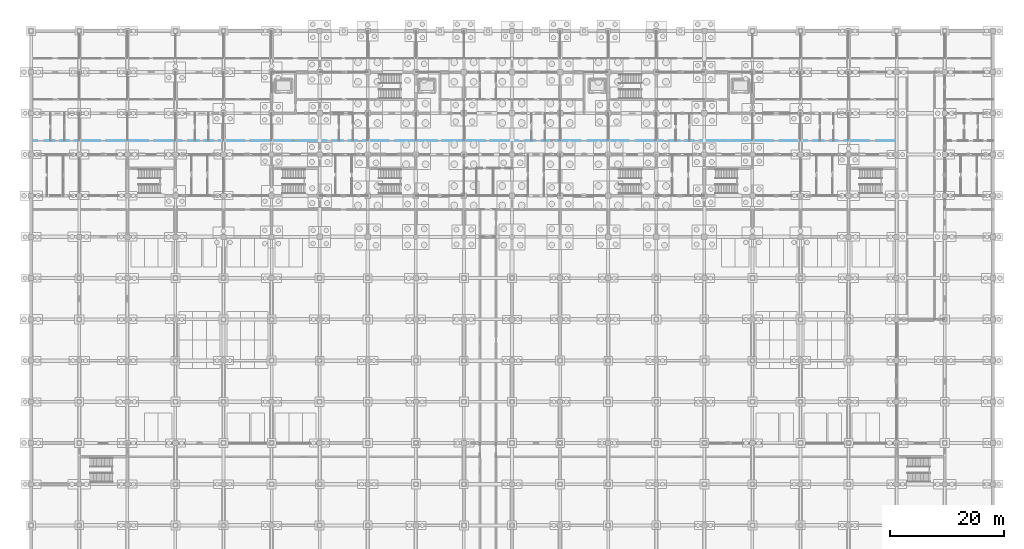
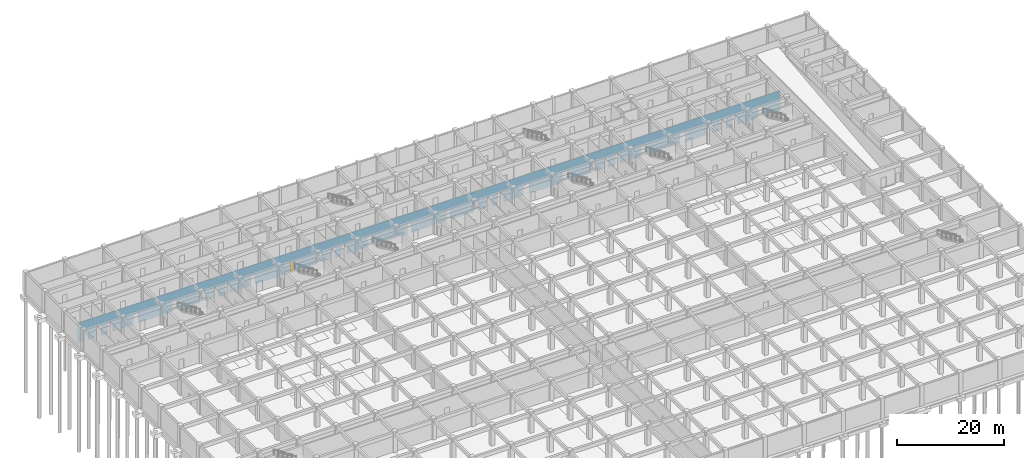
# One storey, part 50 of 85: 1 door, 30 openings, plus 1 element that does not belong to this part.
"""IFC4 building model written with IfcOpenShell, lengths in metres."""

from ifc_helpers import new_model, si_unit, direction, frame, frame_2d, origin, place, context, subcontext, project, spatial, rectangle, extrude, material, layer, layer_set, type_object, element, fill, save


model = new_model("IFC4")

# Units and contexts
model_context = context("Model", 3, precision=1e-05, world=origin(), true_north=direction((0.0, 1.0)))
body_context = subcontext(model_context, "Body", "Model", "MODEL_VIEW")
ifc_project = project(units=[si_unit("LENGTHUNIT", "METRE"), si_unit("AREAUNIT", "SQUARE_METRE"), si_unit("VOLUMEUNIT", "CUBIC_METRE"), si_unit("PLANEANGLEUNIT", "RADIAN"), si_unit("MASSUNIT", "GRAM", prefix="KILO")], contexts=[model_context])

# Site, building, storey
site_placement = place(None, origin())
site = spatial("IfcSite", under=ifc_project, at=site_placement, CompositionType="ELEMENT")
building_placement = place(site_placement, origin())
building = spatial("IfcBuilding", under=site, at=building_placement, Name="Chengyuan Square Courthouse", CompositionType="ELEMENT")
storey_placement = place(building_placement, frame((0.0, 0.0, -10.199951171875)))
storey = spatial("IfcBuildingStorey", under=building, at=storey_placement, Name="B02", CompositionType="ELEMENT", Elevation=-10.199951171875)

# Wall, openings, door
ifc_material_1 = material(Name="Gypsum Plasterboard Acoustic Stud Partition")
ifc_layer = layer(ifc_material_1, 0.10009765625)
ifc_layer_set = layer_set([ifc_layer], Name="Gypsum Plasterboard Acoustic Stud Partition")
wall_type = type_object("IfcWallType", Name="WL-PT6", PredefinedType="STANDARD", material=ifc_layer_set)
wall_placement = place(storey_placement, frame((0.0400390625, 96.0, 0.0), z_axis=(0.0, 0.0, 1.0), x_axis=(1.0, 0.0, 0.0)))
wall = element("IfcWall", 1, at=wall_placement, inside=storey, type_object=wall_type, Name="Interior Wall WL-B02-I062", PredefinedType="STANDARD", context=body_context, shape_type="SweptSolid", body=[
    extrude(rectangle(XDim=151.159912109375, YDim=0.10009765625, at=frame_2d((75.580078125, 0.0))), origin(), (0.0, 0.0, 1.0), 4.47998046875),
])
opening_1_placement = place(wall_placement, frame((1.0400390625, 0.0, 0.0)))
element("IfcOpeningElement", 2, at=opening_1_placement, cuts=wall, Name="Opening DR-148", PredefinedType="OPENING", context=body_context, shape_type="SweptSolid", body=[
    extrude(rectangle(XDim=1.280029296875, YDim=2.35009765625, at=frame_2d((0.64013671875, 1.175048828125))), frame((0.0, 0.06201171875, 0.0), z_axis=(0.0, -1.0, 0.0), x_axis=(1.0, 0.0, 0.0)), (0.0, 0.0, 1.0), 0.1240234375),
])
opening_2_placement = place(wall_placement, frame((4.090087890625, 0.0, 0.0)))
element("IfcOpeningElement", 3, at=opening_2_placement, cuts=wall, Name="Opening DR-149", PredefinedType="OPENING", context=body_context, shape_type="SweptSolid", body=[
    extrude(rectangle(XDim=0.93994140625, YDim=2.300048828125, at=frame_2d((0.469970703125, 1.14990234375))), frame((0.0, 0.06201171875, 0.0), z_axis=(0.0, -1.0, 0.0), x_axis=(1.0, 0.0, 0.0)), (0.0, 0.0, 1.0), 0.1240234375),
])
opening_3_placement = place(wall_placement, frame((6.570068359375, 0.0, 0.0)))
element("IfcOpeningElement", 4, at=opening_3_placement, cuts=wall, Name="Opening DR-150", PredefinedType="OPENING", context=body_context, shape_type="SweptSolid", body=[
    extrude(rectangle(XDim=0.97998046875, YDim=2.35009765625, at=frame_2d((0.489990234375, 1.175048828125))), frame((0.0, 0.06201171875, 0.0), z_axis=(0.0, -1.0, 0.0), x_axis=(1.0, 0.0, 0.0)), (0.0, 0.0, 1.0), 0.1240234375),
])
opening_4_placement = place(wall_placement, frame((12.050048828125, 0.0, 0.0)))
element("IfcOpeningElement", 5, at=opening_4_placement, cuts=wall, Name="Opening DR-151", PredefinedType="OPENING", context=body_context, shape_type="SweptSolid", body=[
    extrude(rectangle(XDim=1.02001953125, YDim=2.39990234375, at=frame_2d((0.510009765625, 1.199951171875))), frame((0.0, 0.06201171875, 0.0), z_axis=(0.0, -1.0, 0.0), x_axis=(1.0, 0.0, 0.0)), (0.0, 0.0, 1.0), 0.1240234375),
])
opening_5_placement = place(wall_placement, frame((20.429931640625, 0.0, 0.0)))
element("IfcOpeningElement", 6, at=opening_5_placement, cuts=wall, Name="Opening DR-152", PredefinedType="OPENING", context=body_context, shape_type="SweptSolid", body=[
    extrude(rectangle(XDim=1.06005859375, YDim=2.39990234375, at=frame_2d((0.530029296875, 1.199951171875))), frame((0.0, 0.06201171875, 0.0), z_axis=(0.0, -1.0, 0.0), x_axis=(1.0, 0.0, 0.0)), (0.0, 0.0, 1.0), 0.1240234375),
])
opening_6_placement = place(wall_placement, frame((26.2900390625, 0.0, 0.0)))
element("IfcOpeningElement", 7, at=opening_6_placement, cuts=wall, Name="Opening DR-153", PredefinedType="OPENING", context=body_context, shape_type="SweptSolid", body=[
    extrude(rectangle(XDim=1.139892578125, YDim=2.39990234375, at=frame_2d((0.56982421875, 1.199951171875))), frame((0.0, 0.06201171875, 0.0), z_axis=(0.0, -1.0, 0.0), x_axis=(1.0, 0.0, 0.0)), (0.0, 0.0, 1.0), 0.1240234375),
])
opening_7_placement = place(wall_placement, frame((29.31005859375, 0.0, 0.0)))
element("IfcOpeningElement", 8, at=opening_7_placement, cuts=wall, Name="Opening DR-154", PredefinedType="OPENING", context=body_context, shape_type="SweptSolid", body=[
    extrude(rectangle(XDim=0.89990234375, YDim=2.14990234375, at=frame_2d((0.449951171875, 1.074951171875))), frame((0.0, 0.06201171875, 0.0), z_axis=(0.0, -1.0, 0.0), x_axis=(1.0, 0.0, 0.0)), (0.0, 0.0, 1.0), 0.1240234375),
])
opening_8_placement = place(wall_placement, frame((31.830078125, 0.0, 0.0)))
element("IfcOpeningElement", 9, at=opening_8_placement, cuts=wall, Name="Opening DR-155", PredefinedType="OPENING", context=body_context, shape_type="SweptSolid", body=[
    extrude(rectangle(XDim=0.860107421875, YDim=2.10009765625, at=frame_2d((0.43017578125, 1.050048828125))), frame((0.0, 0.06201171875, 0.0), z_axis=(0.0, -1.0, 0.0), x_axis=(1.0, 0.0, 0.0)), (0.0, 0.0, 1.0), 0.1240234375),
])
opening_9_placement = place(wall_placement, frame((37.300048828125, 0.0, 0.0)))
element("IfcOpeningElement", 10, at=opening_9_placement, cuts=wall, Name="Opening DR-156", PredefinedType="OPENING", context=body_context, shape_type="SweptSolid", body=[
    extrude(rectangle(XDim=0.919921875, YDim=2.14990234375, at=frame_2d((0.4599609375, 1.074951171875))), frame((0.0, 0.06201171875, 0.0), z_axis=(0.0, -1.0, 0.0), x_axis=(1.0, 0.0, 0.0)), (0.0, 0.0, 1.0), 0.1240234375),
])
opening_10_placement = place(wall_placement, frame((45.679931640625, 0.0, 0.0)))
opening_10 = element("IfcOpeningElement", 11, at=opening_10_placement, cuts=wall, Name="Opening DR-157", PredefinedType="OPENING", context=body_context, shape_type="SweptSolid", body=[
    extrude(rectangle(XDim=0.9599609375, YDim=2.199951171875, at=frame_2d((0.47998046875, 1.10009765625))), frame((0.0, 0.06201171875, 0.0), z_axis=(0.0, -1.0, 0.0), x_axis=(1.0, 0.0, 0.0)), (0.0, 0.0, 1.0), 0.1240234375),
])
opening_11_placement = place(wall_placement, frame((51.570068359375, 0.0, 0.0)))
element("IfcOpeningElement", 12, at=opening_11_placement, cuts=wall, Name="Opening DR-167", PredefinedType="OPENING", context=body_context, shape_type="SweptSolid", body=[
    extrude(rectangle(XDim=0.97998046875, YDim=2.35009765625, at=frame_2d((0.489990234375, 1.175048828125))), frame((0.0, 0.06201171875, 0.0), z_axis=(0.0, -1.0, 0.0), x_axis=(1.0, 0.0, 0.0)), (0.0, 0.0, 1.0), 0.1240234375),
])
opening_12_placement = place(wall_placement, frame((54.449951171875, 0.0, 0.0)))
element("IfcOpeningElement", 13, at=opening_12_placement, cuts=wall, Name="Opening DR-168", PredefinedType="OPENING", context=body_context, shape_type="SweptSolid", body=[
    extrude(rectangle(XDim=1.02001953125, YDim=2.39990234375, at=frame_2d((0.510009765625, 1.199951171875))), frame((0.0, 0.06201171875, 0.0), z_axis=(0.0, -1.0, 0.0), x_axis=(1.0, 0.0, 0.0)), (0.0, 0.0, 1.0), 0.1240234375),
])
opening_13_placement = place(wall_placement, frame((56.929931640625, 0.0, 0.0)))
element("IfcOpeningElement", 14, at=opening_13_placement, cuts=wall, Name="Opening DR-169", PredefinedType="OPENING", context=body_context, shape_type="SweptSolid", body=[
    extrude(rectangle(XDim=1.06005859375, YDim=2.39990234375, at=frame_2d((0.530029296875, 1.199951171875))), frame((0.0, 0.06201171875, 0.0), z_axis=(0.0, -1.0, 0.0), x_axis=(1.0, 0.0, 0.0)), (0.0, 0.0, 1.0), 0.1240234375),
])
opening_14_placement = place(wall_placement, frame((62.389892578125, 0.0, 0.0)))
element("IfcOpeningElement", 15, at=opening_14_placement, cuts=wall, Name="Opening DR-170", PredefinedType="OPENING", context=body_context, shape_type="SweptSolid", body=[
    extrude(rectangle(XDim=1.139892578125, YDim=2.39990234375, at=frame_2d((0.56982421875, 1.199951171875))), frame((0.0, 0.06201171875, 0.0), z_axis=(0.0, -1.0, 0.0), x_axis=(1.0, 0.0, 0.0)), (0.0, 0.0, 1.0), 0.1240234375),
])
opening_15_placement = place(wall_placement, frame((70.909912109375, 0.0, 0.0)))
element("IfcOpeningElement", 16, at=opening_15_placement, cuts=wall, Name="Opening DR-171", PredefinedType="OPENING", context=body_context, shape_type="SweptSolid", body=[
    extrude(rectangle(XDim=0.89990234375, YDim=2.14990234375, at=frame_2d((0.449951171875, 1.074951171875))), frame((0.0, 0.06201171875, 0.0), z_axis=(0.0, -1.0, 0.0), x_axis=(1.0, 0.0, 0.0)), (0.0, 0.0, 1.0), 0.1240234375),
])
opening_16_placement = place(wall_placement, frame((79.330078125, 0.0, 0.0)))
element("IfcOpeningElement", 17, at=opening_16_placement, cuts=wall, Name="Opening DR-172", PredefinedType="OPENING", context=body_context, shape_type="SweptSolid", body=[
    extrude(rectangle(XDim=0.860107421875, YDim=2.10009765625, at=frame_2d((0.43017578125, 1.050048828125))), frame((0.0, 0.06201171875, 0.0), z_axis=(0.0, -1.0, 0.0), x_axis=(1.0, 0.0, 0.0)), (0.0, 0.0, 1.0), 0.1240234375),
])
opening_17_placement = place(wall_placement, frame((85.10009765625, 0.0, 0.0)))
element("IfcOpeningElement", 18, at=opening_17_placement, cuts=wall, Name="Opening DR-178", PredefinedType="OPENING", context=body_context, shape_type="SweptSolid", body=[
    extrude(rectangle(XDim=1.1201171875, YDim=2.25, at=frame_2d((0.56005859375, 1.125))), frame((0.0, 0.06201171875, 0.0), z_axis=(0.0, -1.0, 0.0), x_axis=(1.0, 0.0, 0.0)), (0.0, 0.0, 1.0), 0.1240234375),
])
opening_18_placement = place(wall_placement, frame((87.97998046875, 0.0, 0.0)))
element("IfcOpeningElement", 19, at=opening_18_placement, cuts=wall, Name="Opening DR-179", PredefinedType="OPENING", context=body_context, shape_type="SweptSolid", body=[
    extrude(rectangle(XDim=1.159912109375, YDim=2.300048828125, at=frame_2d((0.580078125, 1.14990234375))), frame((0.0, 0.06201171875, 0.0), z_axis=(0.0, -1.0, 0.0), x_axis=(1.0, 0.0, 0.0)), (0.0, 0.0, 1.0), 0.1240234375),
])
opening_19_placement = place(wall_placement, frame((90.4599609375, 0.0, 0.0)))
element("IfcOpeningElement", 20, at=opening_19_placement, cuts=wall, Name="Opening DR-180", PredefinedType="OPENING", context=body_context, shape_type="SweptSolid", body=[
    extrude(rectangle(XDim=1.199951171875, YDim=2.35009765625, at=frame_2d((0.60009765625, 1.175048828125))), frame((0.0, 0.06201171875, 0.0), z_axis=(0.0, -1.0, 0.0), x_axis=(1.0, 0.0, 0.0)), (0.0, 0.0, 1.0), 0.1240234375),
])
opening_20_placement = place(wall_placement, frame((95.93994140625, 0.0, 0.0)))
element("IfcOpeningElement", 21, at=opening_20_placement, cuts=wall, Name="Opening DR-181", PredefinedType="OPENING", context=body_context, shape_type="SweptSolid", body=[
    extrude(rectangle(XDim=1.239990234375, YDim=2.300048828125, at=frame_2d((0.6201171875, 1.14990234375))), frame((0.0, 0.06201171875, 0.0), z_axis=(0.0, -1.0, 0.0), x_axis=(1.0, 0.0, 0.0)), (0.0, 0.0, 1.0), 0.1240234375),
])
opening_21_placement = place(wall_placement, frame((104.320068359375, 0.0, 0.0)))
element("IfcOpeningElement", 22, at=opening_21_placement, cuts=wall, Name="Opening DR-182", PredefinedType="OPENING", context=body_context, shape_type="SweptSolid", body=[
    extrude(rectangle(XDim=1.280029296875, YDim=2.35009765625, at=frame_2d((0.64013671875, 1.175048828125))), frame((0.0, 0.06201171875, 0.0), z_axis=(0.0, -1.0, 0.0), x_axis=(1.0, 0.0, 0.0)), (0.0, 0.0, 1.0), 0.1240234375),
])
opening_22_placement = place(wall_placement, frame((110.389892578125, 0.0, 0.0)))
element("IfcOpeningElement", 23, at=opening_22_placement, cuts=wall, Name="Opening DR-183", PredefinedType="OPENING", context=body_context, shape_type="SweptSolid", body=[
    extrude(rectangle(XDim=0.93994140625, YDim=2.300048828125, at=frame_2d((0.469970703125, 1.14990234375))), frame((0.0, 0.06201171875, 0.0), z_axis=(0.0, -1.0, 0.0), x_axis=(1.0, 0.0, 0.0)), (0.0, 0.0, 1.0), 0.1240234375),
])
opening_23_placement = place(wall_placement, frame((113.27001953125, 0.0, 0.0)))
element("IfcOpeningElement", 24, at=opening_23_placement, cuts=wall, Name="Opening DR-184", PredefinedType="OPENING", context=body_context, shape_type="SweptSolid", body=[
    extrude(rectangle(XDim=0.97998046875, YDim=2.35009765625, at=frame_2d((0.489990234375, 1.175048828125))), frame((0.0, 0.06201171875, 0.0), z_axis=(0.0, -1.0, 0.0), x_axis=(1.0, 0.0, 0.0)), (0.0, 0.0, 1.0), 0.1240234375),
])
opening_24_placement = place(wall_placement, frame((115.75, 0.0, 0.0)))
element("IfcOpeningElement", 25, at=opening_24_placement, cuts=wall, Name="Opening DR-185", PredefinedType="OPENING", context=body_context, shape_type="SweptSolid", body=[
    extrude(rectangle(XDim=1.02001953125, YDim=2.39990234375, at=frame_2d((0.510009765625, 1.199951171875))), frame((0.0, 0.06201171875, 0.0), z_axis=(0.0, -1.0, 0.0), x_axis=(1.0, 0.0, 0.0)), (0.0, 0.0, 1.0), 0.1240234375),
])
opening_25_placement = place(wall_placement, frame((121.239990234375, 0.0, 0.0)))
element("IfcOpeningElement", 26, at=opening_25_placement, cuts=wall, Name="Opening DR-193", PredefinedType="OPENING", context=body_context, shape_type="SweptSolid", body=[
    extrude(rectangle(XDim=1.0400390625, YDim=2.199951171875, at=frame_2d((0.52001953125, 1.10009765625))), frame((0.0, 0.06201171875, 0.0), z_axis=(0.0, -1.0, 0.0), x_axis=(1.0, 0.0, 0.0)), (0.0, 0.0, 1.0), 0.1240234375),
])
opening_26_placement = place(wall_placement, frame((129.6201171875, 0.0, 0.0)))
element("IfcOpeningElement", 27, at=opening_26_placement, cuts=wall, Name="Opening DR-194", PredefinedType="OPENING", context=body_context, shape_type="SweptSolid", body=[
    extrude(rectangle(XDim=1.080078125, YDim=2.25, at=frame_2d((0.5400390625, 1.125))), frame((0.0, 0.06201171875, 0.0), z_axis=(0.0, -1.0, 0.0), x_axis=(1.0, 0.0, 0.0)), (0.0, 0.0, 1.0), 0.1240234375),
])
opening_27_placement = place(wall_placement, frame((135.5, 0.0, 0.0)))
element("IfcOpeningElement", 28, at=opening_27_placement, cuts=wall, Name="Opening DR-195", PredefinedType="OPENING", context=body_context, shape_type="SweptSolid", body=[
    extrude(rectangle(XDim=1.1201171875, YDim=2.25, at=frame_2d((0.56005859375, 1.125))), frame((0.0, 0.06201171875, 0.0), z_axis=(0.0, -1.0, 0.0), x_axis=(1.0, 0.0, 0.0)), (0.0, 0.0, 1.0), 0.1240234375),
])
opening_28_placement = place(wall_placement, frame((138.3798828125, 0.0, 0.0)))
element("IfcOpeningElement", 29, at=opening_28_placement, cuts=wall, Name="Opening DR-196", PredefinedType="OPENING", context=body_context, shape_type="SweptSolid", body=[
    extrude(rectangle(XDim=1.159912109375, YDim=2.300048828125, at=frame_2d((0.580078125, 1.14990234375))), frame((0.0, 0.06201171875, 0.0), z_axis=(0.0, -1.0, 0.0), x_axis=(1.0, 0.0, 0.0)), (0.0, 0.0, 1.0), 0.1240234375),
])
opening_29_placement = place(wall_placement, frame((140.860107421875, 0.0, 0.0)))
element("IfcOpeningElement", 30, at=opening_29_placement, cuts=wall, Name="Opening DR-197", PredefinedType="OPENING", context=body_context, shape_type="SweptSolid", body=[
    extrude(rectangle(XDim=1.199951171875, YDim=2.35009765625, at=frame_2d((0.60009765625, 1.175048828125))), frame((0.0, 0.06201171875, 0.0), z_axis=(0.0, -1.0, 0.0), x_axis=(1.0, 0.0, 0.0)), (0.0, 0.0, 1.0), 0.1240234375),
])
opening_30_placement = place(wall_placement, frame((146.340087890625, 0.0, 0.0)))
element("IfcOpeningElement", 31, at=opening_30_placement, cuts=wall, Name="Opening DR-198", PredefinedType="OPENING", context=body_context, shape_type="SweptSolid", body=[
    extrude(rectangle(XDim=1.239990234375, YDim=2.300048828125, at=frame_2d((0.6201171875, 1.14990234375))), frame((0.0, 0.06201171875, 0.0), z_axis=(0.0, -1.0, 0.0), x_axis=(1.0, 0.0, 0.0)), (0.0, 0.0, 1.0), 0.1240234375),
])
ifc_material_2 = material(Name="Acoustic Solid-Core Timber Door", Category="wood")
door_type = type_object("IfcDoorType", Name="DT-30", OperationType="NOTDEFINED", PredefinedType="DOOR", material=ifc_material_2)
door_placement = place(opening_10_placement, origin())
door = element("IfcDoor", 32, at=door_placement, inside=storey, type_object=door_type, Name="Interior Door DR-157", OperationType="SINGLE_SWING_RIGHT", OverallHeight=2.199951171875, OverallWidth=0.9599609375, PredefinedType="DOOR", context=body_context, shape_type="SweptSolid", body=[
    extrude(rectangle(XDim=0.9599609375, YDim=2.199951171875, at=frame_2d((0.47998046875, 1.10009765625))), frame((0.0, 0.02490234375, 0.0), z_axis=(0.0, -1.0, 0.0), x_axis=(1.0, 0.0, 0.0)), (0.0, 0.0, 1.0), 0.050048828125),
])
fill(opening_10, door)

save(model, "model.ifc")
